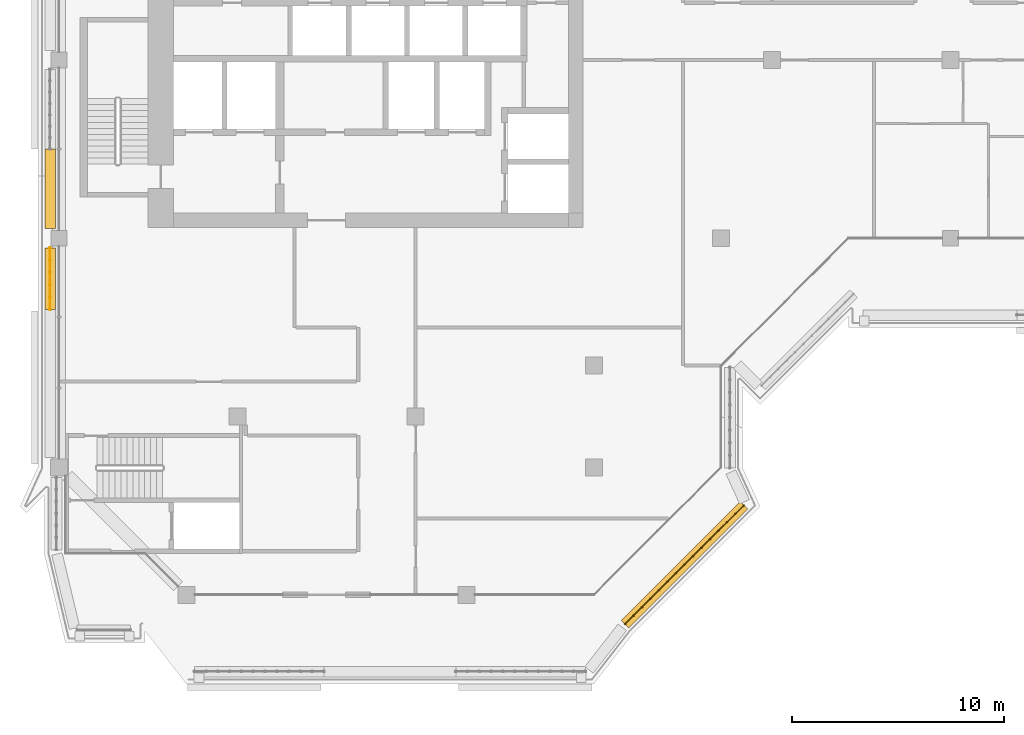
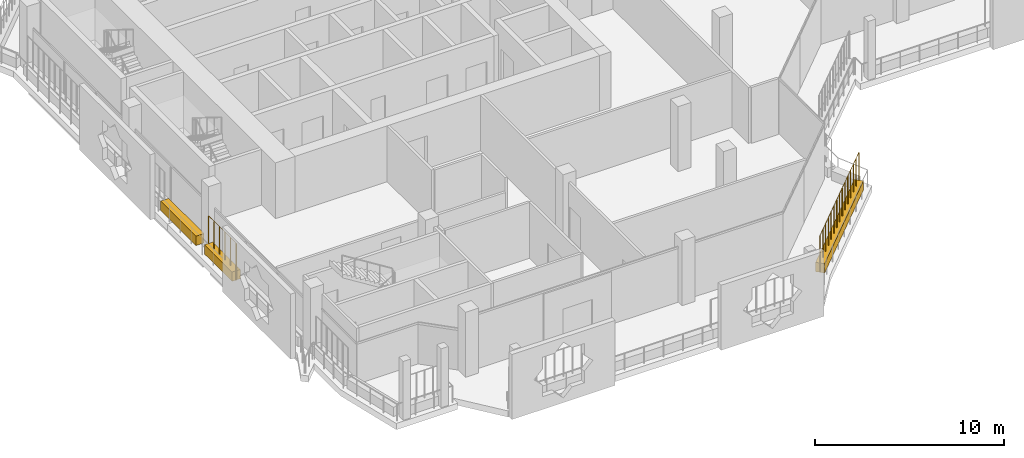
# One storey, part 16 of 21: 3 coverings, 2 railings.
"""IFC4 building model written with IfcOpenShell, lengths in metres."""

from ifc_helpers import new_model, si_unit, direction, frame, origin, origin_2d, place, context, subcontext, project, spatial, rectangle, circle, extrude, material, material_profile, profile_set, type_object, element, save


model = new_model("IFC4")

# Units and contexts
model_context = context("Model", 3, precision=1e-05, world=origin(), true_north=direction((0.0, 1.0)))
body_context = subcontext(model_context, "Body", "Model", "MODEL_VIEW")
ifc_project = project(units=[si_unit("LENGTHUNIT", "METRE"), si_unit("AREAUNIT", "SQUARE_METRE"), si_unit("VOLUMEUNIT", "CUBIC_METRE"), si_unit("PLANEANGLEUNIT", "RADIAN"), si_unit("MASSUNIT", "GRAM", prefix="KILO")], contexts=[model_context])

# Site, building, storey
site_placement = place(None, origin())
site = spatial("IfcSite", under=ifc_project, at=site_placement, CompositionType="ELEMENT")
building_placement = place(site_placement, origin())
building = spatial("IfcBuilding", under=site, at=building_placement, Name="Kawkab Arch Medical Tower", CompositionType="ELEMENT")
storey_placement = place(building_placement, frame((0.0, 0.0, 315.39990234375)))
storey = spatial("IfcBuildingStorey", under=building, at=storey_placement, Name="L73", CompositionType="ELEMENT", Elevation=315.39990234375)

# Coverings
ifc_material_1 = material(Name="Planting soil in a precast trough", Category="concrete")
ifc_material_profile = material_profile(ifc_material_1, rectangle(XDim=0.5, YDim=0.60009765625, at=origin_2d()), Name="Trough 500x600")
ifc_profile_set = profile_set([ifc_material_profile], Name="Planting soil in a precast trough")
covering_type = type_object("IfcCoveringType", Name="Planter trough 500 x 600", PredefinedType="USERDEFINED", material=ifc_profile_set)
covering_1_placement = place(storey_placement, frame((-0.419921875, -28.56298828125, 0.300048828125), z_axis=(0.0, 1.0, 0.0), x_axis=(-1.0, 0.0, 0.0)))
element("IfcCovering", 1, at=covering_1_placement, inside=storey, type_object=covering_type, Name="Planter L73.LOG-01-01.5", ObjectType="PLANTER", PredefinedType="USERDEFINED", context=body_context, shape_type="SweptSolid", body=[
    extrude(rectangle(XDim=0.5, YDim=0.60009765625, at=origin_2d()), origin(), (0.0, 0.0, 1.0), 2.909912109375),
])
covering_2_placement = place(storey_placement, frame((-0.419921875, -24.7470703125, 0.300048828125), z_axis=(0.0, 1.0, 0.0), x_axis=(-1.0, 0.0, 0.0)))
element("IfcCovering", 2, at=covering_2_placement, inside=storey, type_object=covering_type, Name="Planter L73.LOG-01-01.6", ObjectType="PLANTER", PredefinedType="USERDEFINED", context=body_context, shape_type="SweptSolid", body=[
    extrude(rectangle(XDim=0.5, YDim=0.60009765625, at=origin_2d()), origin(), (0.0, 0.0, 1.0), 3.7470703125),
])
covering_3_placement = place(storey_placement, frame((32.27294921875, -37.782958984375, 0.300048828125), z_axis=(-0.707091367247, -0.70712219479, 0.0), x_axis=(0.70712219479, -0.707091367247, 0.0)))
element("IfcCovering", 3, at=covering_3_placement, inside=storey, type_object=covering_type, Name="Planter L73.LOG-01-01.33", ObjectType="PLANTER", PredefinedType="USERDEFINED", context=body_context, shape_type="SweptSolid", body=[
    extrude(rectangle(XDim=0.5, YDim=0.60009765625, at=origin_2d()), origin(), (0.0, 0.0, 1.0), 7.919677734375),
])

# Railings
ifc_material_2 = material(Name="Bronze anodised aluminium trellis for climbing plants", Category="aluminium")
railing_type = type_object("IfcRailingType", Name="Planting trellis 2400", PredefinedType="USERDEFINED", material=ifc_material_2)
railing_1_placement = place(storey_placement, frame((-0.419921875, -28.56298828125, 0.0)))
element("IfcRailing", 4, at=railing_1_placement, inside=storey, type_object=railing_type, Name="Planting trellis L73.LOG-01-01.5", ObjectType="TRELLIS", PredefinedType="USERDEFINED", context=body_context, shape_type="SweptSolid", body=[
    extrude(circle(Radius=0.01513671875, at=origin_2d()), frame((0.0, 0.0, 2.384765625), z_axis=(0.0, 1.0, 0.0), x_axis=(-1.0, 0.0, 0.0)), (0.0, 0.0, 1.0), 2.909912109375),
    extrude(circle(Radius=0.030029296875, at=origin_2d()), origin(), (0.0, 0.0, 1.0), 2.369873046875),
    extrude(circle(Radius=0.030029296875, at=origin_2d()), frame((0.0, 0.58203125, 0.0)), (0.0, 0.0, 1.0), 2.369873046875),
    extrude(circle(Radius=0.030029296875, at=origin_2d()), frame((0.0, 1.1640625, 0.0)), (0.0, 0.0, 1.0), 2.369873046875),
    extrude(circle(Radius=0.030029296875, at=origin_2d()), frame((0.0, 1.745849609375, 0.0)), (0.0, 0.0, 1.0), 2.369873046875),
    extrude(circle(Radius=0.030029296875, at=origin_2d()), frame((0.0, 2.327880859375, 0.0)), (0.0, 0.0, 1.0), 2.369873046875),
    extrude(circle(Radius=0.030029296875, at=origin_2d()), frame((0.0, 2.909912109375, 0.0)), (0.0, 0.0, 1.0), 2.369873046875),
])
railing_2_placement = place(storey_placement, frame((32.27294921875, -37.782958984375, 0.0)))
element("IfcRailing", 5, at=railing_2_placement, inside=storey, type_object=railing_type, Name="Planting trellis L73.LOG-01-01.33", ObjectType="TRELLIS", PredefinedType="USERDEFINED", context=body_context, shape_type="SweptSolid", body=[
    extrude(circle(Radius=0.01513671875, at=origin_2d()), frame((0.0, 0.0, 2.384765625), z_axis=(-0.707091367247, -0.70712219479, 0.0), x_axis=(0.70712219479, -0.707091367247, 0.0)), (0.0, 0.0, 1.0), 7.919677734375),
    extrude(circle(Radius=0.030029296875, at=origin_2d()), origin(), (0.0, 0.0, 1.0), 2.369873046875),
    extrude(circle(Radius=0.030029296875, at=origin_2d()), frame((-0.39990234375, -0.39990234375, 0.0)), (0.0, 0.0, 1.0), 2.369873046875),
    extrude(circle(Radius=0.030029296875, at=origin_2d()), frame((-0.800048828125, -0.800048828125, 0.0)), (0.0, 0.0, 1.0), 2.369873046875),
    extrude(circle(Radius=0.030029296875, at=origin_2d()), frame((-1.199951171875, -1.199951171875, 0.0)), (0.0, 0.0, 1.0), 2.369873046875),
    extrude(circle(Radius=0.030029296875, at=origin_2d()), frame((-1.599853515625, -1.60009765625, 0.0)), (0.0, 0.0, 1.0), 2.369873046875),
    extrude(circle(Radius=0.030029296875, at=origin_2d()), frame((-2.0, -2.0, 0.0)), (0.0, 0.0, 1.0), 2.369873046875),
    extrude(circle(Radius=0.030029296875, at=origin_2d()), frame((-2.39990234375, -2.400146484375, 0.0)), (0.0, 0.0, 1.0), 2.369873046875),
    extrude(circle(Radius=0.030029296875, at=origin_2d()), frame((-2.7998046875, -2.800048828125, 0.0)), (0.0, 0.0, 1.0), 2.369873046875),
    extrude(circle(Radius=0.030029296875, at=origin_2d()), frame((-3.199951171875, -3.199951171875, 0.0)), (0.0, 0.0, 1.0), 2.369873046875),
    extrude(circle(Radius=0.030029296875, at=origin_2d()), frame((-3.599853515625, -3.60009765625, 0.0)), (0.0, 0.0, 1.0), 2.369873046875),
    extrude(circle(Radius=0.030029296875, at=origin_2d()), frame((-4.0, -4.0, 0.0)), (0.0, 0.0, 1.0), 2.369873046875),
    extrude(circle(Radius=0.030029296875, at=origin_2d()), frame((-4.39990234375, -4.400146484375, 0.0)), (0.0, 0.0, 1.0), 2.369873046875),
    extrude(circle(Radius=0.030029296875, at=origin_2d()), frame((-4.7998046875, -4.800048828125, 0.0)), (0.0, 0.0, 1.0), 2.369873046875),
    extrude(circle(Radius=0.030029296875, at=origin_2d()), frame((-5.199951171875, -5.2001953125, 0.0)), (0.0, 0.0, 1.0), 2.369873046875),
    extrude(circle(Radius=0.030029296875, at=origin_2d()), frame((-5.599853515625, -5.60009765625, 0.0)), (0.0, 0.0, 1.0), 2.369873046875),
])

save(model, "model.ifc")
